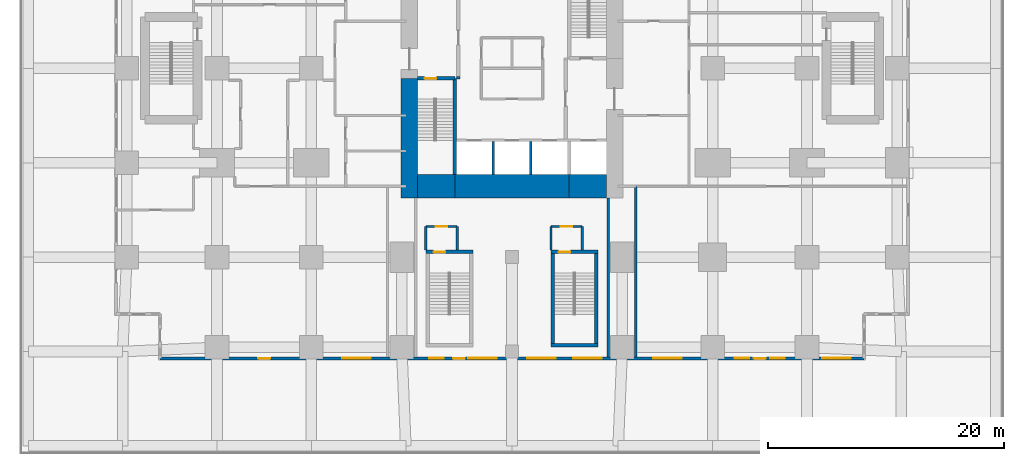
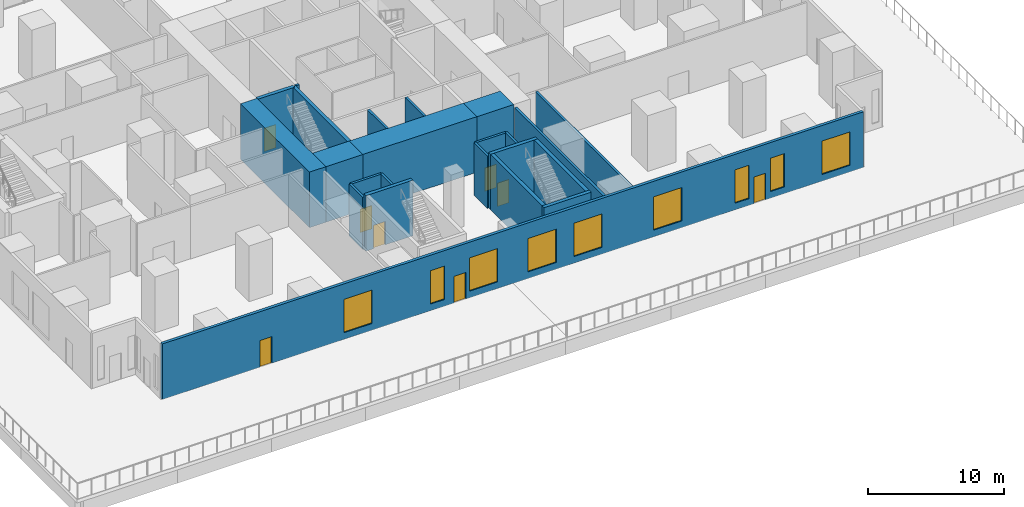
# One storey, part 8 of 16: 23 walls, 9 windows, 8 doors, 17 openings.
"""IFC4 building model written with IfcOpenShell, lengths in metres."""

from ifc_helpers import new_model, si_unit, direction, frame, frame_2d, origin, place, context, subcontext, project, spatial, rectangle, extrude, material, layer, layer_set, type_object, element, fill, save


model = new_model("IFC4")

# Units and contexts
model_context = context("Model", 3, precision=1e-05, world=origin(), true_north=direction((0.0, 1.0)))
body_context = subcontext(model_context, "Body", "Model", "MODEL_VIEW")
ifc_project = project(units=[si_unit("LENGTHUNIT", "METRE"), si_unit("AREAUNIT", "SQUARE_METRE"), si_unit("VOLUMEUNIT", "CUBIC_METRE"), si_unit("PLANEANGLEUNIT", "RADIAN"), si_unit("MASSUNIT", "GRAM", prefix="KILO")], contexts=[model_context])

# Site, building, storey
site_placement = place(None, origin())
site = spatial("IfcSite", under=ifc_project, at=site_placement, CompositionType="ELEMENT")
building_placement = place(site_placement, origin())
building = spatial("IfcBuilding", under=site, at=building_placement, Name="Cleftline Residences", CompositionType="ELEMENT")
storey_placement = place(building_placement, frame((0.0, 0.0, 16.0)))
storey = spatial("IfcBuildingStorey", under=building, at=storey_placement, Name="L03", CompositionType="ELEMENT", Elevation=16.0)

# Walls
ifc_material_1 = material(Name="Concrete B70", Category="concrete")
ifc_layer_1 = layer(ifc_material_1, 1.39990234375)
ifc_layer_set_1 = layer_set([ifc_layer_1], Name="CORE WALL 1400")
wall_type_1 = type_object("IfcWallType", Name="CORE WALL 1400", PredefinedType="SHEAR", material=ifc_layer_set_1)
wall_1_placement = place(storey_placement, frame((24.300048828125, 13.0, 0.0), z_axis=(0.0, 0.0, 1.0), x_axis=(0.0, 1.0, 0.0)))
element("IfcWall", 1, at=wall_1_placement, inside=storey, type_object=wall_type_1, Name="Core wall W0", PredefinedType="SHEAR", context=body_context, shape_type="SweptSolid", body=[
    extrude(rectangle(XDim=10.14990234375, YDim=1.39990234375, at=frame_2d((5.074951171875, 0.0))), origin(), (0.0, 0.0, 1.0), 5.0),
])
ifc_material_2 = material(Name="Concrete B70", Category="concrete")
ifc_layer_2 = layer(ifc_material_2, 2.0)
ifc_layer_set_2 = layer_set([ifc_layer_2], Name="CORE WALL 2000")
wall_type_2 = type_object("IfcWallType", Name="CORE WALL 2000", PredefinedType="SHEAR", material=ifc_layer_set_2)
wall_2_placement = place(storey_placement, frame((25.0, 14.0, 0.0), z_axis=(0.0, 0.0, 1.0), x_axis=(1.0, 0.0, 0.0)))
element("IfcWall", 2, at=wall_2_placement, inside=storey, type_object=wall_type_2, Name="Core wall S1", PredefinedType="SHEAR", context=body_context, shape_type="SweptSolid", body=[
    extrude(rectangle(XDim=3.14990234375, YDim=2.0, at=frame_2d((1.574951171875, 0.0))), origin(), (0.0, 0.0, 1.0), 5.0),
])
wall_3_placement = place(storey_placement, frame((28.14990234375, 14.0, 0.0), z_axis=(0.0, 0.0, 1.0), x_axis=(1.0, 0.0, 0.0)))
element("IfcWall", 3, at=wall_3_placement, inside=storey, type_object=wall_type_2, Name="Core wall S2", PredefinedType="SHEAR", context=body_context, shape_type="SweptSolid", body=[
    extrude(rectangle(XDim=9.7001953125, YDim=2.0, at=frame_2d((4.85009765625, 0.0))), origin(), (0.0, 0.0, 1.0), 5.0),
])
wall_4_placement = place(storey_placement, frame((37.85009765625, 14.0, 0.0), z_axis=(0.0, 0.0, 1.0), x_axis=(1.0, 0.0, 0.0)))
element("IfcWall", 4, at=wall_4_placement, inside=storey, type_object=wall_type_2, Name="Core wall S3", PredefinedType="SHEAR", context=body_context, shape_type="SweptSolid", body=[
    extrude(rectangle(XDim=3.14990234375, YDim=2.0, at=frame_2d((1.574951171875, 0.0))), origin(), (0.0, 0.0, 1.0), 5.0),
])
ifc_material_3 = material(Name="Concrete B70", Category="concrete")
ifc_layer_3 = layer(ifc_material_3, 0.300048828125)
ifc_layer_set_3 = layer_set([ifc_layer_3], Name="CORE WALL 300")
wall_type_3 = type_object("IfcWallType", Name="CORE WALL 300", PredefinedType="SHEAR", material=ifc_layer_set_3)
wall_5_placement = place(storey_placement, frame((28.14990234375, 15.0, 0.0), z_axis=(0.0, 0.0, 1.0), x_axis=(0.0, 1.0, 0.0)))
element("IfcWall", 5, at=wall_5_placement, inside=storey, type_object=wall_type_3, Name="Core wall SA-E", PredefinedType="SHEAR", context=body_context, shape_type="SweptSolid", body=[
    extrude(rectangle(XDim=8.14990234375, YDim=0.300048828125, at=frame_2d((4.074951171875, 0.0))), origin(), (0.0, 0.0, 1.0), 5.0),
])

# Wall, opening, door
wall_6_placement = place(storey_placement, frame((25.0, 23.14990234375, 0.0), z_axis=(0.0, 0.0, 1.0), x_axis=(1.0, 0.0, 0.0)))
wall_6 = element("IfcWall", 6, at=wall_6_placement, inside=storey, type_object=wall_type_3, Name="Core wall SA-N", PredefinedType="SHEAR", context=body_context, shape_type="SweptSolid", body=[
    extrude(rectangle(XDim=3.14990234375, YDim=0.300048828125, at=frame_2d((1.574951171875, 0.0))), origin(), (0.0, 0.0, 1.0), 5.0),
])
opening_1_placement = place(wall_6_placement, frame((0.60009765625, 0.0, 0.0)))
opening_1 = element("IfcOpeningElement", 7, at=opening_1_placement, cuts=wall_6, Name="Opening D5", PredefinedType="OPENING", context=body_context, shape_type="SweptSolid", body=[
    extrude(rectangle(XDim=1.0, YDim=2.10009765625, at=frame_2d((0.5, 1.050048828125))), frame((0.0, 0.159912109375, 0.0), z_axis=(0.0, -1.0, 0.0), x_axis=(1.0, 0.0, 0.0)), (0.0, 0.0, 1.0), 0.320068359375),
])
ifc_material_4 = material(Name="Steel", Category="steel")
door_type_1 = type_object("IfcDoorType", Name="STAIR DOOR 1000X2100", OperationType="SINGLE_SWING_LEFT", PredefinedType="DOOR", material=ifc_material_4)
door_1_placement = place(opening_1_placement, origin())
door_1 = element("IfcDoor", 8, at=door_1_placement, inside=storey, type_object=door_type_1, Name="Stair A door", OperationType="SINGLE_SWING_RIGHT", OverallHeight=2.10009765625, OverallWidth=1.0, PredefinedType="DOOR", context=body_context, shape_type="SweptSolid", body=[
    extrude(rectangle(XDim=1.0, YDim=2.10009765625, at=frame_2d((0.5, 1.050048828125))), frame((0.0, 0.02490234375, 0.0), z_axis=(0.0, -1.0, 0.0), x_axis=(1.0, 0.0, 0.0)), (0.0, 0.0, 1.0), 0.050048828125),
])
fill(opening_1, door_1)

# Wall, openings, doors, windows
ifc_material_5 = material(Name="Rendered reinforced concrete blockwork", Category="masonry")
ifc_layer_4 = layer(ifc_material_5, 0.25)
ifc_layer_set_4 = layer_set([ifc_layer_4], Name="EXTERNAL WALL 250")
wall_type_4 = type_object("IfcWallType", Name="EXTERNAL WALL 250", PredefinedType="SOLIDWALL", material=ifc_layer_set_4)
wall_7_placement = place(storey_placement, frame((3.175048828125, -0.574951171875, 0.0), z_axis=(0.0, 0.0, 1.0), x_axis=(1.0, 0.0, 0.0)))
wall_7 = element("IfcWall", 9, at=wall_7_placement, inside=storey, type_object=wall_type_4, Name="External wall", PredefinedType="SOLIDWALL", context=body_context, shape_type="SweptSolid", body=[
    extrude(rectangle(XDim=59.64990234375, YDim=0.25, at=frame_2d((29.824951171875, 0.0))), origin(), (0.0, 0.0, 1.0), 5.0),
])
opening_2_placement = place(wall_7_placement, frame((8.324951171875, 0.0, 0.0)))
opening_2 = element("IfcOpeningElement", 10, at=opening_2_placement, cuts=wall_7, Name="Opening DT1", PredefinedType="OPENING", context=body_context, shape_type="SweptSolid", body=[
    extrude(rectangle(XDim=1.0, YDim=2.39990234375, at=frame_2d((0.5, 1.199951171875))), frame((0.0, 0.135009765625, 0.0), z_axis=(0.0, -1.0, 0.0), x_axis=(1.0, 0.0, 0.0)), (0.0, 0.0, 1.0), 0.27001953125),
])
opening_3_placement = place(wall_7_placement, frame((15.449951171875, 0.0, 0.60009765625)))
opening_3 = element("IfcOpeningElement", 11, at=opening_3_placement, cuts=wall_7, Name="Opening W3", PredefinedType="OPENING", context=body_context, shape_type="SweptSolid", body=[
    extrude(rectangle(XDim=2.39990234375, YDim=3.0, at=frame_2d((1.199951171875, 1.5))), frame((0.0, 0.135009765625, 0.0), z_axis=(0.0, -1.0, 0.0), x_axis=(1.0, 0.0, 0.0)), (0.0, 0.0, 1.0), 0.27001953125),
])
opening_4_placement = place(wall_7_placement, frame((24.824951171875, 0.0, 0.0)))
opening_4 = element("IfcOpeningElement", 12, at=opening_4_placement, cuts=wall_7, Name="Opening DT1", PredefinedType="OPENING", context=body_context, shape_type="SweptSolid", body=[
    extrude(rectangle(XDim=1.0, YDim=2.39990234375, at=frame_2d((0.5, 1.199951171875))), frame((0.0, 0.135009765625, 0.0), z_axis=(0.0, -1.0, 0.0), x_axis=(1.0, 0.0, 0.0)), (0.0, 0.0, 1.0), 0.27001953125),
])
opening_5_placement = place(wall_7_placement, frame((22.824951171875, 0.0, 0.60009765625)))
opening_5 = element("IfcOpeningElement", 13, at=opening_5_placement, cuts=wall_7, Name="Opening W5", PredefinedType="OPENING", context=body_context, shape_type="SweptSolid", body=[
    extrude(rectangle(XDim=1.199951171875, YDim=3.0, at=frame_2d((0.60009765625, 1.5))), frame((0.0, 0.135009765625, 0.0), z_axis=(0.0, -1.0, 0.0), x_axis=(1.0, 0.0, 0.0)), (0.0, 0.0, 1.0), 0.27001953125),
])
opening_6_placement = place(wall_7_placement, frame((26.125, 0.0, 0.60009765625)))
opening_6 = element("IfcOpeningElement", 14, at=opening_6_placement, cuts=wall_7, Name="Opening W3", PredefinedType="OPENING", context=body_context, shape_type="SweptSolid", body=[
    extrude(rectangle(XDim=2.39990234375, YDim=3.0, at=frame_2d((1.199951171875, 1.5))), frame((0.0, 0.135009765625, 0.0), z_axis=(0.0, -1.0, 0.0), x_axis=(1.0, 0.0, 0.0)), (0.0, 0.0, 1.0), 0.27001953125),
])
opening_7_placement = place(wall_7_placement, frame((31.125, 0.0, 0.60009765625)))
opening_7 = element("IfcOpeningElement", 15, at=opening_7_placement, cuts=wall_7, Name="Opening W3", PredefinedType="OPENING", context=body_context, shape_type="SweptSolid", body=[
    extrude(rectangle(XDim=2.39990234375, YDim=3.0, at=frame_2d((1.199951171875, 1.5))), frame((0.0, 0.135009765625, 0.0), z_axis=(0.0, -1.0, 0.0), x_axis=(1.0, 0.0, 0.0)), (0.0, 0.0, 1.0), 0.27001953125),
])
opening_8_placement = place(wall_7_placement, frame((35.02490234375, 0.0, 0.60009765625)))
opening_8 = element("IfcOpeningElement", 16, at=opening_8_placement, cuts=wall_7, Name="Opening W3", PredefinedType="OPENING", context=body_context, shape_type="SweptSolid", body=[
    extrude(rectangle(XDim=2.39990234375, YDim=3.0, at=frame_2d((1.199951171875, 1.5))), frame((0.0, 0.135009765625, 0.0), z_axis=(0.0, -1.0, 0.0), x_axis=(1.0, 0.0, 0.0)), (0.0, 0.0, 1.0), 0.27001953125),
])
opening_9_placement = place(wall_7_placement, frame((50.324951171875, 0.0, 0.0)))
opening_9 = element("IfcOpeningElement", 17, at=opening_9_placement, cuts=wall_7, Name="Opening DT1", PredefinedType="OPENING", context=body_context, shape_type="SweptSolid", body=[
    extrude(rectangle(XDim=1.0, YDim=2.39990234375, at=frame_2d((0.5, 1.199951171875))), frame((0.0, 0.135009765625, 0.0), z_axis=(0.0, -1.0, 0.0), x_axis=(1.0, 0.0, 0.0)), (0.0, 0.0, 1.0), 0.27001953125),
])
opening_10_placement = place(wall_7_placement, frame((41.800048828125, 0.0, 0.60009765625)))
opening_10 = element("IfcOpeningElement", 18, at=opening_10_placement, cuts=wall_7, Name="Opening W3", PredefinedType="OPENING", context=body_context, shape_type="SweptSolid", body=[
    extrude(rectangle(XDim=2.39990234375, YDim=3.0, at=frame_2d((1.199951171875, 1.5))), frame((0.0, 0.135009765625, 0.0), z_axis=(0.0, -1.0, 0.0), x_axis=(1.0, 0.0, 0.0)), (0.0, 0.0, 1.0), 0.27001953125),
])
opening_11_placement = place(wall_7_placement, frame((48.72509765625, 0.0, 0.60009765625)))
opening_11 = element("IfcOpeningElement", 19, at=opening_11_placement, cuts=wall_7, Name="Opening W5", PredefinedType="OPENING", context=body_context, shape_type="SweptSolid", body=[
    extrude(rectangle(XDim=1.199951171875, YDim=3.0, at=frame_2d((0.60009765625, 1.5))), frame((0.0, 0.135009765625, 0.0), z_axis=(0.0, -1.0, 0.0), x_axis=(1.0, 0.0, 0.0)), (0.0, 0.0, 1.0), 0.27001953125),
])
opening_12_placement = place(wall_7_placement, frame((51.72509765625, 0.0, 0.60009765625)))
opening_12 = element("IfcOpeningElement", 20, at=opening_12_placement, cuts=wall_7, Name="Opening W5", PredefinedType="OPENING", context=body_context, shape_type="SweptSolid", body=[
    extrude(rectangle(XDim=1.199951171875, YDim=3.0, at=frame_2d((0.60009765625, 1.5))), frame((0.0, 0.135009765625, 0.0), z_axis=(0.0, -1.0, 0.0), x_axis=(1.0, 0.0, 0.0)), (0.0, 0.0, 1.0), 0.27001953125),
])
opening_13_placement = place(wall_7_placement, frame((56.125, 0.0, 0.60009765625)))
opening_13 = element("IfcOpeningElement", 21, at=opening_13_placement, cuts=wall_7, Name="Opening W3", PredefinedType="OPENING", context=body_context, shape_type="SweptSolid", body=[
    extrude(rectangle(XDim=2.39990234375, YDim=3.0, at=frame_2d((1.199951171875, 1.5))), frame((0.0, 0.135009765625, 0.0), z_axis=(0.0, -1.0, 0.0), x_axis=(1.0, 0.0, 0.0)), (0.0, 0.0, 1.0), 0.27001953125),
])
ifc_material_6 = material(Name="Aluminium and laminated glass", Category="aluminium")
door_type_2 = type_object("IfcDoorType", Name="TERRACE DOOR 1000X2400", OperationType="SINGLE_SWING_LEFT", PredefinedType="DOOR", material=ifc_material_6)
door_2_placement = place(opening_2_placement, origin())
door_2 = element("IfcDoor", 22, at=door_2_placement, inside=storey, type_object=door_type_2, Name="Terrace door", OperationType="SINGLE_SWING_RIGHT", OverallHeight=2.39990234375, OverallWidth=1.0, PredefinedType="DOOR", context=body_context, shape_type="SweptSolid", body=[
    extrude(rectangle(XDim=1.0, YDim=2.39990234375, at=frame_2d((0.5, 1.199951171875))), frame((0.0, 0.02490234375, 0.0), z_axis=(0.0, -1.0, 0.0), x_axis=(1.0, 0.0, 0.0)), (0.0, 0.0, 1.0), 0.050048828125),
])
fill(opening_2, door_2)
door_3_placement = place(opening_4_placement, origin())
door_3 = element("IfcDoor", 23, at=door_3_placement, inside=storey, type_object=door_type_2, Name="Terrace door", OperationType="SINGLE_SWING_RIGHT", OverallHeight=2.39990234375, OverallWidth=1.0, PredefinedType="DOOR", context=body_context, shape_type="SweptSolid", body=[
    extrude(rectangle(XDim=1.0, YDim=2.39990234375, at=frame_2d((0.5, 1.199951171875))), frame((0.0, 0.02490234375, 0.0), z_axis=(0.0, -1.0, 0.0), x_axis=(1.0, 0.0, 0.0)), (0.0, 0.0, 1.0), 0.050048828125),
])
fill(opening_4, door_3)
door_4_placement = place(opening_9_placement, origin())
door_4 = element("IfcDoor", 24, at=door_4_placement, inside=storey, type_object=door_type_2, Name="Terrace door", OperationType="SINGLE_SWING_LEFT", OverallHeight=2.39990234375, OverallWidth=1.0, PredefinedType="DOOR", context=body_context, shape_type="SweptSolid", body=[
    extrude(rectangle(XDim=1.0, YDim=2.39990234375, at=frame_2d((0.5, 1.199951171875))), frame((0.0, 0.02490234375, 0.0), z_axis=(0.0, -1.0, 0.0), x_axis=(1.0, 0.0, 0.0)), (0.0, 0.0, 1.0), 0.050048828125),
])
fill(opening_9, door_4)
ifc_material_7 = material(Name="Aluminium frame, clear double glazing", Category="aluminium")
window_type_1 = type_object("IfcWindowType", Name="WINDOW 1200X3000", PartitioningType="DOUBLE_PANEL_VERTICAL", PredefinedType="WINDOW", material=ifc_material_7)
window_1_placement = place(opening_5_placement, origin())
window_1 = element("IfcWindow", 25, at=window_1_placement, inside=storey, type_object=window_type_1, Name="Window", OverallHeight=3.0, OverallWidth=1.199951171875, PartitioningType="SINGLE_PANEL", PredefinedType="WINDOW", context=body_context, shape_type="SweptSolid", body=[
    extrude(rectangle(XDim=1.199951171875, YDim=3.0, at=frame_2d((0.60009765625, 1.5))), frame((0.0, 0.030029296875, 0.0), z_axis=(0.0, -1.0, 0.0), x_axis=(1.0, 0.0, 0.0)), (0.0, 0.0, 1.0), 0.06005859375),
])
fill(opening_5, window_1)
window_2_placement = place(opening_11_placement, origin())
window_2 = element("IfcWindow", 26, at=window_2_placement, inside=storey, type_object=window_type_1, Name="Window", OverallHeight=3.0, OverallWidth=1.199951171875, PartitioningType="SINGLE_PANEL", PredefinedType="WINDOW", context=body_context, shape_type="SweptSolid", body=[
    extrude(rectangle(XDim=1.199951171875, YDim=3.0, at=frame_2d((0.60009765625, 1.5))), frame((0.0, 0.030029296875, 0.0), z_axis=(0.0, -1.0, 0.0), x_axis=(1.0, 0.0, 0.0)), (0.0, 0.0, 1.0), 0.06005859375),
])
fill(opening_11, window_2)
window_3_placement = place(opening_12_placement, origin())
window_3 = element("IfcWindow", 27, at=window_3_placement, inside=storey, type_object=window_type_1, Name="Window", OverallHeight=3.0, OverallWidth=1.199951171875, PartitioningType="SINGLE_PANEL", PredefinedType="WINDOW", context=body_context, shape_type="SweptSolid", body=[
    extrude(rectangle(XDim=1.199951171875, YDim=3.0, at=frame_2d((0.60009765625, 1.5))), frame((0.0, 0.030029296875, 0.0), z_axis=(0.0, -1.0, 0.0), x_axis=(1.0, 0.0, 0.0)), (0.0, 0.0, 1.0), 0.06005859375),
])
fill(opening_12, window_3)
ifc_material_8 = material(Name="Aluminium frame, clear double glazing", Category="aluminium")
window_type_2 = type_object("IfcWindowType", Name="WINDOW 2400X3000", PartitioningType="DOUBLE_PANEL_VERTICAL", PredefinedType="WINDOW", material=ifc_material_8)
window_4_placement = place(opening_3_placement, origin())
window_4 = element("IfcWindow", 28, at=window_4_placement, inside=storey, type_object=window_type_2, Name="Window", OverallHeight=3.0, OverallWidth=2.39990234375, PartitioningType="SINGLE_PANEL", PredefinedType="WINDOW", context=body_context, shape_type="SweptSolid", body=[
    extrude(rectangle(XDim=2.39990234375, YDim=3.0, at=frame_2d((1.199951171875, 1.5))), frame((0.0, 0.030029296875, 0.0), z_axis=(0.0, -1.0, 0.0), x_axis=(1.0, 0.0, 0.0)), (0.0, 0.0, 1.0), 0.06005859375),
])
fill(opening_3, window_4)
window_5_placement = place(opening_6_placement, origin())
window_5 = element("IfcWindow", 29, at=window_5_placement, inside=storey, type_object=window_type_2, Name="Window", OverallHeight=3.0, OverallWidth=2.39990234375, PartitioningType="SINGLE_PANEL", PredefinedType="WINDOW", context=body_context, shape_type="SweptSolid", body=[
    extrude(rectangle(XDim=2.39990234375, YDim=3.0, at=frame_2d((1.199951171875, 1.5))), frame((0.0, 0.030029296875, 0.0), z_axis=(0.0, -1.0, 0.0), x_axis=(1.0, 0.0, 0.0)), (0.0, 0.0, 1.0), 0.06005859375),
])
fill(opening_6, window_5)
window_6_placement = place(opening_7_placement, origin())
window_6 = element("IfcWindow", 30, at=window_6_placement, inside=storey, type_object=window_type_2, Name="Window", OverallHeight=3.0, OverallWidth=2.39990234375, PartitioningType="SINGLE_PANEL", PredefinedType="WINDOW", context=body_context, shape_type="SweptSolid", body=[
    extrude(rectangle(XDim=2.39990234375, YDim=3.0, at=frame_2d((1.199951171875, 1.5))), frame((0.0, 0.030029296875, 0.0), z_axis=(0.0, -1.0, 0.0), x_axis=(1.0, 0.0, 0.0)), (0.0, 0.0, 1.0), 0.06005859375),
])
fill(opening_7, window_6)
window_7_placement = place(opening_8_placement, origin())
window_7 = element("IfcWindow", 31, at=window_7_placement, inside=storey, type_object=window_type_2, Name="Window", OverallHeight=3.0, OverallWidth=2.39990234375, PartitioningType="SINGLE_PANEL", PredefinedType="WINDOW", context=body_context, shape_type="SweptSolid", body=[
    extrude(rectangle(XDim=2.39990234375, YDim=3.0, at=frame_2d((1.199951171875, 1.5))), frame((0.0, 0.030029296875, 0.0), z_axis=(0.0, -1.0, 0.0), x_axis=(1.0, 0.0, 0.0)), (0.0, 0.0, 1.0), 0.06005859375),
])
fill(opening_8, window_7)
window_8_placement = place(opening_10_placement, origin())
window_8 = element("IfcWindow", 32, at=window_8_placement, inside=storey, type_object=window_type_2, Name="Window", OverallHeight=3.0, OverallWidth=2.39990234375, PartitioningType="SINGLE_PANEL", PredefinedType="WINDOW", context=body_context, shape_type="SweptSolid", body=[
    extrude(rectangle(XDim=2.39990234375, YDim=3.0, at=frame_2d((1.199951171875, 1.5))), frame((0.0, 0.030029296875, 0.0), z_axis=(0.0, -1.0, 0.0), x_axis=(1.0, 0.0, 0.0)), (0.0, 0.0, 1.0), 0.06005859375),
])
fill(opening_10, window_8)
window_9_placement = place(opening_13_placement, origin())
window_9 = element("IfcWindow", 33, at=window_9_placement, inside=storey, type_object=window_type_2, Name="Window", OverallHeight=3.0, OverallWidth=2.39990234375, PartitioningType="SINGLE_PANEL", PredefinedType="WINDOW", context=body_context, shape_type="SweptSolid", body=[
    extrude(rectangle(XDim=2.39990234375, YDim=3.0, at=frame_2d((1.199951171875, 1.5))), frame((0.0, 0.030029296875, 0.0), z_axis=(0.0, -1.0, 0.0), x_axis=(1.0, 0.0, 0.0)), (0.0, 0.0, 1.0), 0.06005859375),
])
fill(opening_13, window_9)

# Wall, opening, door
ifc_material_9 = material(Name="Concrete blockwork, fire rated", Category="masonry")
ifc_layer_5 = layer(ifc_material_9, 0.199951171875)
ifc_layer_set_5 = layer_set([ifc_layer_5], Name="FIRE WALL 200")
wall_type_5 = type_object("IfcWallType", Name="FIRE WALL 200", PredefinedType="PARTITIONING", material=ifc_layer_set_5)
wall_8_placement = place(storey_placement, frame((25.699951171875, 10.60009765625, 0.0), z_axis=(0.0, 0.0, 1.0), x_axis=(1.0, 0.0, 0.0)))
wall_8 = element("IfcWall", 34, at=wall_8_placement, inside=storey, type_object=wall_type_5, Name="Fire separating wall", PredefinedType="PARTITIONING", context=body_context, shape_type="SweptSolid", body=[
    extrude(rectangle(XDim=2.650146484375, YDim=0.199951171875, at=frame_2d((1.3251953125, 0.0))), origin(), (0.0, 0.0, 1.0), 4.699951171875),
])
opening_14_placement = place(wall_8_placement, frame((0.824951171875, 0.0, 0.0)))
opening_14 = element("IfcOpeningElement", 35, at=opening_14_placement, cuts=wall_8, Name="Opening D2F60", PredefinedType="OPENING", context=body_context, shape_type="SweptSolid", body=[
    extrude(rectangle(XDim=1.0, YDim=2.10009765625, at=frame_2d((0.5, 1.050048828125))), frame((0.0, 0.10986328125, 0.0), z_axis=(0.0, -1.0, 0.0), x_axis=(1.0, 0.0, 0.0)), (0.0, 0.0, 1.0), 0.219970703125),
])
ifc_material_10 = material(Name="Timber veneer on solid core", Category="wood")
door_type_3 = type_object("IfcDoorType", Name="DOOR 1000X2100 EI 60", OperationType="SINGLE_SWING_LEFT", PredefinedType="DOOR", material=ifc_material_10)
door_5_placement = place(opening_14_placement, origin())
door_5 = element("IfcDoor", 36, at=door_5_placement, inside=storey, type_object=door_type_3, Name="Door to stair c lobby", OperationType="SINGLE_SWING_LEFT", OverallHeight=2.10009765625, OverallWidth=1.0, PredefinedType="DOOR", context=body_context, shape_type="SweptSolid", body=[
    extrude(rectangle(XDim=1.0, YDim=2.10009765625, at=frame_2d((0.5, 1.050048828125))), frame((0.0, 0.02490234375, 0.0), z_axis=(0.0, -1.0, 0.0), x_axis=(1.0, 0.0, 0.0)), (0.0, 0.0, 1.0), 0.050048828125),
])
fill(opening_14, door_5)

wall_9_placement = place(storey_placement, frame((36.300048828125, 10.60009765625, 0.0), z_axis=(0.0, 0.0, 1.0), x_axis=(1.0, 0.0, 0.0)))
wall_9 = element("IfcWall", 37, at=wall_9_placement, inside=storey, type_object=wall_type_5, Name="Fire separating wall", PredefinedType="PARTITIONING", context=body_context, shape_type="SweptSolid", body=[
    extrude(rectangle(XDim=2.64990234375, YDim=0.199951171875, at=frame_2d((1.324951171875, 0.0))), origin(), (0.0, 0.0, 1.0), 4.699951171875),
])
opening_15_placement = place(wall_9_placement, frame((0.824951171875, 0.0, 0.0)))
opening_15 = element("IfcOpeningElement", 38, at=opening_15_placement, cuts=wall_9, Name="Opening D2F60", PredefinedType="OPENING", context=body_context, shape_type="SweptSolid", body=[
    extrude(rectangle(XDim=1.0, YDim=2.10009765625, at=frame_2d((0.5, 1.050048828125))), frame((0.0, 0.10986328125, 0.0), z_axis=(0.0, -1.0, 0.0), x_axis=(1.0, 0.0, 0.0)), (0.0, 0.0, 1.0), 0.219970703125),
])
door_6_placement = place(opening_15_placement, origin())
door_6 = element("IfcDoor", 39, at=door_6_placement, inside=storey, type_object=door_type_3, Name="Door to stair c2 lobby", OperationType="SINGLE_SWING_LEFT", OverallHeight=2.10009765625, OverallWidth=1.0, PredefinedType="DOOR", context=body_context, shape_type="SweptSolid", body=[
    extrude(rectangle(XDim=1.0, YDim=2.10009765625, at=frame_2d((0.5, 1.050048828125))), frame((0.0, 0.02490234375, 0.0), z_axis=(0.0, -1.0, 0.0), x_axis=(1.0, 0.0, 0.0)), (0.0, 0.0, 1.0), 0.050048828125),
])
fill(opening_15, door_6)

# Walls
for number, where, z_axis, x_axis, name in (
    (40, (25.699951171875, 8.60009765625, 0.0), (0.0, 0.0, 1.0), (0.0, 1.0, 0.0), "Fire separating wall"),
    (41, (28.35009765625, 8.60009765625, 0.0), (0.0, 0.0, 1.0), (0.0, 1.0, 0.0), "Fire separating wall"),
    (42, (36.300048828125, 8.60009765625, 0.0), (0.0, 0.0, 1.0), (0.0, 1.0, 0.0), "Fire separating wall"),
    (43, (38.949951171875, 8.60009765625, 0.0), (0.0, 0.0, 1.0), (0.0, 1.0, 0.0), "Fire separating wall"),
):
    element("IfcWall", number, at=place(storey_placement, frame(where, z_axis=z_axis, x_axis=x_axis)), inside=storey, type_object=wall_type_5, Name=name, PredefinedType="PARTITIONING", context=body_context, shape_type="SweptSolid", body=[
        extrude(rectangle(XDim=2.0, YDim=0.199951171875, at=frame_2d((1.0, 0.0))), origin(), (0.0, 0.0, 1.0), 4.699951171875),
    ])
wall_10_placement = place(storey_placement, frame((41.14990234375, -0.449951171875, 0.0), z_axis=(0.0, 0.0, 1.0), x_axis=(0.0, 1.0, 0.0)))
element("IfcWall", 44, at=wall_10_placement, inside=storey, type_object=wall_type_5, Name="Fire separating wall", PredefinedType="PARTITIONING", context=body_context, shape_type="SweptSolid", body=[
    extrude(rectangle(XDim=13.449951171875, YDim=0.199951171875, at=frame_2d((6.72509765625, 0.0))), origin(), (0.0, 0.0, 1.0), 4.699951171875),
])
wall_11_placement = place(storey_placement, frame((43.5, -0.449951171875, 0.0), z_axis=(0.0, 0.0, 1.0), x_axis=(0.0, 1.0, 0.0)))
element("IfcWall", 45, at=wall_11_placement, inside=storey, type_object=wall_type_5, Name="Fire separating wall", PredefinedType="PARTITIONING", context=body_context, shape_type="SweptSolid", body=[
    extrude(rectangle(XDim=14.449951171875, YDim=0.199951171875, at=frame_2d((7.22509765625, 0.0))), origin(), (0.0, 0.0, 1.0), 4.699951171875),
])
wall_12_placement = place(storey_placement, frame((28.300048828125, 23.199951171875, 0.0), z_axis=(0.0, 0.0, 1.0), x_axis=(1.0, 0.0, 0.0)))
element("IfcWall", 46, at=wall_12_placement, inside=storey, type_object=wall_type_5, Name="Fire separating wall", PredefinedType="PARTITIONING", context=body_context, shape_type="SweptSolid", body=[
    extrude(rectangle(XDim=0.300048828125, YDim=0.199951171875, at=frame_2d((0.14990234375, 0.0))), origin(), (0.0, 0.0, 1.0), 5.0),
])
ifc_material_11 = material(Name="Concrete blockwork, fire rated", Category="masonry")
ifc_layer_6 = layer(ifc_material_11, 0.199951171875)
ifc_layer_set_6 = layer_set([ifc_layer_6], Name="SHAFT WALL 200")
wall_type_6 = type_object("IfcWallType", Name="SHAFT WALL 200", PredefinedType="PARTITIONING", material=ifc_layer_set_6)
for number, where, z_axis, x_axis, name in (
    (47, (31.39990234375, 15.0, 0.0), (0.0, 0.0, 1.0), (0.0, 1.0, 0.0), "Lift shaft wall"),
    (48, (34.60009765625, 15.0, 0.0), (0.0, 0.0, 1.0), (0.0, 1.0, 0.0), "Lift shaft wall"),
):
    element("IfcWall", number, at=place(storey_placement, frame(where, z_axis=z_axis, x_axis=x_axis)), inside=storey, type_object=wall_type_6, Name=name, PredefinedType="PARTITIONING", context=body_context, shape_type="SweptSolid", body=[
        extrude(rectangle(XDim=2.800048828125, YDim=0.199951171875, at=frame_2d((1.39990234375, 0.0))), origin(), (0.0, 0.0, 1.0), 5.0),
    ])

# Wall, opening, door
ifc_material_12 = material(Name="Concrete blockwork, fire rated", Category="masonry")
ifc_layer_7 = layer(ifc_material_12, 0.300048828125)
ifc_layer_set_7 = layer_set([ifc_layer_7], Name="STAIR ENCLOSURE WALL 300")
wall_type_7 = type_object("IfcWallType", Name="STAIR ENCLOSURE WALL 300", PredefinedType="PARTITIONING", material=ifc_layer_set_7)
wall_13_placement = place(storey_placement, frame((25.699951171875, 8.449951171875, 0.0), z_axis=(0.0, 0.0, 1.0), x_axis=(1.0, 0.0, 0.0)))
wall_13 = element("IfcWall", 49, at=wall_13_placement, inside=storey, type_object=wall_type_7, Name="Stair C enclosure", PredefinedType="PARTITIONING", context=body_context, shape_type="SweptSolid", body=[
    extrude(rectangle(XDim=4.0, YDim=0.300048828125, at=frame_2d((2.0, 0.0))), origin(), (0.0, 0.0, 1.0), 5.0),
])
opening_16_placement = place(wall_13_placement, frame((0.64990234375, 0.0, 0.0)))
opening_16 = element("IfcOpeningElement", 50, at=opening_16_placement, cuts=wall_13, Name="Opening D5", PredefinedType="OPENING", context=body_context, shape_type="SweptSolid", body=[
    extrude(rectangle(XDim=1.0, YDim=2.10009765625, at=frame_2d((0.5, 1.050048828125))), frame((0.0, 0.159912109375, 0.0), z_axis=(0.0, -1.0, 0.0), x_axis=(1.0, 0.0, 0.0)), (0.0, 0.0, 1.0), 0.320068359375),
])
door_7_placement = place(opening_16_placement, origin())
door_7 = element("IfcDoor", 51, at=door_7_placement, inside=storey, type_object=door_type_1, Name="Stair C door", OperationType="SINGLE_SWING_RIGHT", OverallHeight=2.10009765625, OverallWidth=1.0, PredefinedType="DOOR", context=body_context, shape_type="SweptSolid", body=[
    extrude(rectangle(XDim=1.0, YDim=2.10009765625, at=frame_2d((0.5, 1.050048828125))), frame((0.0, 0.02490234375, 0.0), z_axis=(0.0, -1.0, 0.0), x_axis=(1.0, 0.0, 0.0)), (0.0, 0.0, 1.0), 0.050048828125),
])
fill(opening_16, door_7)

# Wall
wall_14_placement = place(storey_placement, frame((36.300048828125, 0.550048828125, 0.0), z_axis=(0.0, 0.0, 1.0), x_axis=(1.0, 0.0, 0.0)))
element("IfcWall", 52, at=wall_14_placement, inside=storey, type_object=wall_type_7, Name="Stair C2 enclosure", PredefinedType="PARTITIONING", context=body_context, shape_type="SweptSolid", body=[
    extrude(rectangle(XDim=4.0, YDim=0.300048828125, at=frame_2d((2.0, 0.0))), origin(), (0.0, 0.0, 1.0), 5.0),
])

# Wall, opening, door
wall_15_placement = place(storey_placement, frame((36.300048828125, 8.449951171875, 0.0), z_axis=(0.0, 0.0, 1.0), x_axis=(1.0, 0.0, 0.0)))
wall_15 = element("IfcWall", 53, at=wall_15_placement, inside=storey, type_object=wall_type_7, Name="Stair C2 enclosure", PredefinedType="PARTITIONING", context=body_context, shape_type="SweptSolid", body=[
    extrude(rectangle(XDim=4.0, YDim=0.300048828125, at=frame_2d((2.0, 0.0))), origin(), (0.0, 0.0, 1.0), 5.0),
])
opening_17_placement = place(wall_15_placement, frame((0.64990234375, 0.0, 0.0)))
opening_17 = element("IfcOpeningElement", 54, at=opening_17_placement, cuts=wall_15, Name="Opening D5", PredefinedType="OPENING", context=body_context, shape_type="SweptSolid", body=[
    extrude(rectangle(XDim=1.0, YDim=2.10009765625, at=frame_2d((0.5, 1.050048828125))), frame((0.0, 0.159912109375, 0.0), z_axis=(0.0, -1.0, 0.0), x_axis=(1.0, 0.0, 0.0)), (0.0, 0.0, 1.0), 0.320068359375),
])
door_8_placement = place(opening_17_placement, origin())
door_8 = element("IfcDoor", 55, at=door_8_placement, inside=storey, type_object=door_type_1, Name="Stair C2 door", OperationType="SINGLE_SWING_RIGHT", OverallHeight=2.10009765625, OverallWidth=1.0, PredefinedType="DOOR", context=body_context, shape_type="SweptSolid", body=[
    extrude(rectangle(XDim=1.0, YDim=2.10009765625, at=frame_2d((0.5, 1.050048828125))), frame((0.0, 0.02490234375, 0.0), z_axis=(0.0, -1.0, 0.0), x_axis=(1.0, 0.0, 0.0)), (0.0, 0.0, 1.0), 0.050048828125),
])
fill(opening_17, door_8)

# Walls
for number, where, z_axis, x_axis, name in (
    (56, (36.449951171875, 0.699951171875, 0.0), (0.0, 0.0, 1.0), (0.0, 1.0, 0.0), "Stair C2 enclosure"),
    (57, (40.14990234375, 0.699951171875, 0.0), (0.0, 0.0, 1.0), (0.0, 1.0, 0.0), "Stair C2 enclosure"),
):
    element("IfcWall", number, at=place(storey_placement, frame(where, z_axis=z_axis, x_axis=x_axis)), inside=storey, type_object=wall_type_7, Name=name, PredefinedType="PARTITIONING", context=body_context, shape_type="SweptSolid", body=[
        extrude(rectangle(XDim=7.60009765625, YDim=0.300048828125, at=frame_2d((3.800048828125, 0.0))), origin(), (0.0, 0.0, 1.0), 5.0),
    ])

save(model, "model.ifc")
